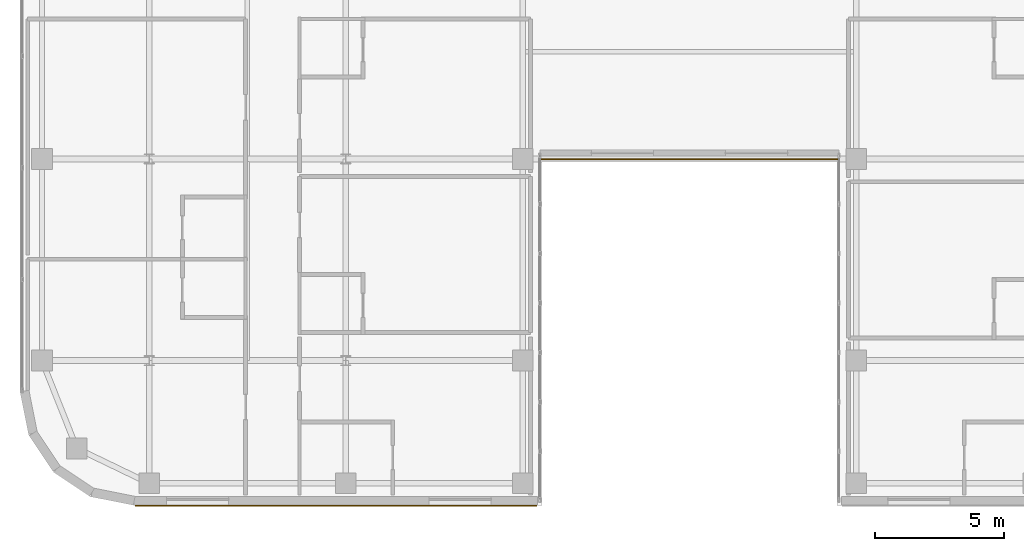
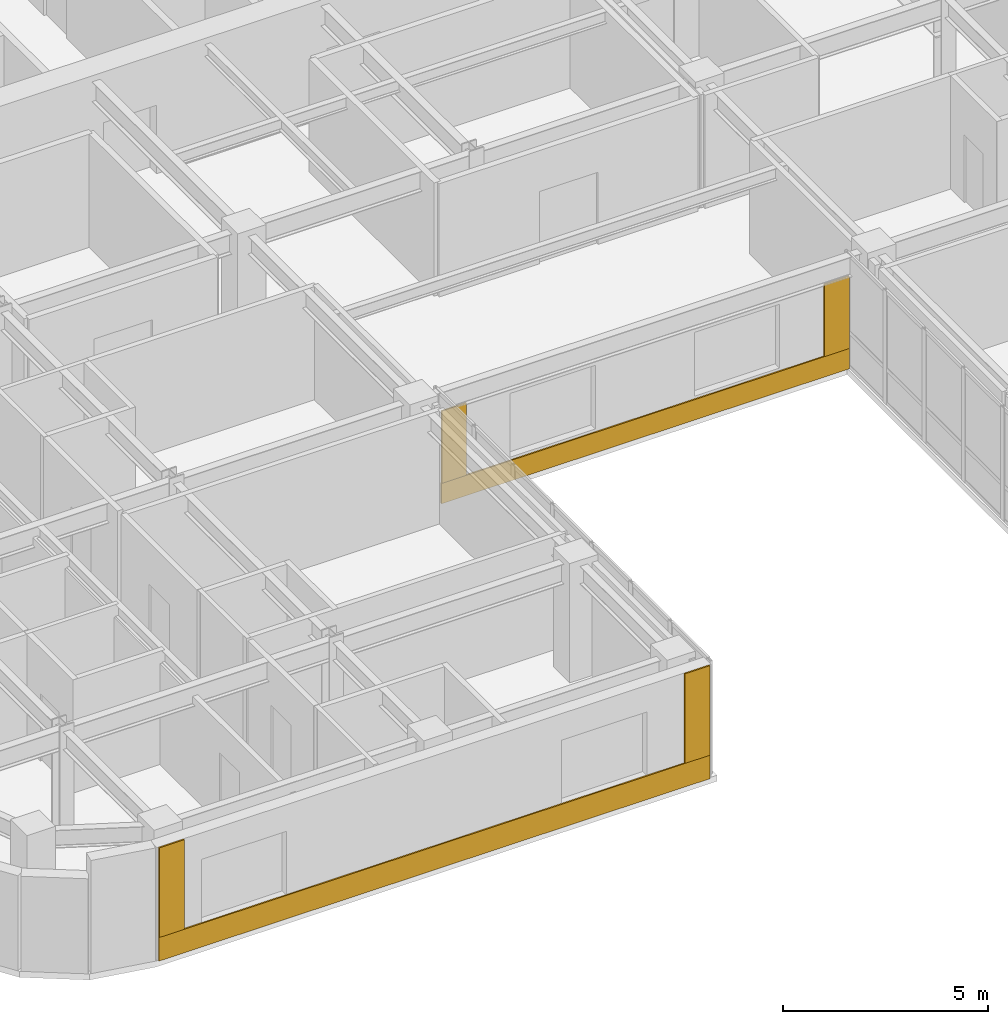
# One storey, part 24 of 28: 6 coverings.
"""IFC4 building model written with IfcOpenShell, lengths in metres."""

from ifc_helpers import new_model, si_unit, direction, frame, origin, place, context, subcontext, project, spatial, polyline, outline, extrude, material, layer, layer_set, type_object, element, save


model = new_model("IFC4")

# Units and contexts
model_context = context("Model", 3, precision=1e-05, world=origin(), true_north=direction((0.0, 1.0)))
body_context = subcontext(model_context, "Body", "Model", "MODEL_VIEW")
ifc_project = project(units=[si_unit("LENGTHUNIT", "METRE"), si_unit("AREAUNIT", "SQUARE_METRE"), si_unit("VOLUMEUNIT", "CUBIC_METRE"), si_unit("PLANEANGLEUNIT", "RADIAN"), si_unit("MASSUNIT", "GRAM", prefix="KILO")], contexts=[model_context])

# Site, building, storey
site_placement = place(None, origin())
site = spatial("IfcSite", under=ifc_project, at=site_placement, CompositionType="ELEMENT")
building_placement = place(site_placement, origin())
building = spatial("IfcBuilding", under=site, at=building_placement, Name="Tolvann Quenvar Hotel", CompositionType="ELEMENT")
storey_placement = place(building_placement, frame((0.0, 0.0, 198.199951171875)))
storey = spatial("IfcBuildingStorey", under=building, at=storey_placement, Name="L52", CompositionType="ELEMENT", Elevation=198.199951171875)

# Coverings
ifc_material_1 = material(Name="Kiln-fired red architectural face brick cladding", Category="masonry")
ifc_layer_1 = layer(ifc_material_1, 0.0400390625)
ifc_layer_set_1 = layer_set([ifc_layer_1], Name="Kiln-fired red architectural face brick cladding")
covering_type_1 = type_object("IfcCoveringType", Name="COV_CLAD_BRICK_40", PredefinedType="CLADDING", material=ifc_layer_set_1)
covering_1_placement = place(storey_placement, frame((0.0, 0.0, 0.699951171875)))
element("IfcCovering", 1, at=covering_1_placement, inside=storey, type_object=covering_type_1, Name="Brick Pier Cladding (L52-E04-P1)", PredefinedType="CLADDING", context=body_context, shape_type="SweptSolid", body=[
    extrude(outline(polyline([(7.067138671875, 2.60009765625), (7.76708984375, 2.60009765625), (7.76708984375, 2.56005859375), (7.067138671875, 2.56005859375), (7.067138671875, 2.60009765625)])), origin(), (0.0, 0.0, 1.0), 2.670166015625),
])
covering_2_placement = place(storey_placement, frame((0.0, 0.0, 0.699951171875)))
element("IfcCovering", 2, at=covering_2_placement, inside=storey, type_object=covering_type_1, Name="Brick Pier Cladding (L52-E04-P2)", PredefinedType="CLADDING", context=body_context, shape_type="SweptSolid", body=[
    extrude(outline(polyline([(21.875, 2.60009765625), (22.574951171875, 2.60009765625), (22.574951171875, 2.56005859375), (21.875, 2.56005859375), (21.875, 2.60009765625)])), origin(), (0.0, 0.0, 1.0), 2.670166015625),
])
covering_3_placement = place(storey_placement, frame((0.0, 0.0, 0.60693359375)))
element("IfcCovering", 3, at=covering_3_placement, inside=storey, type_object=covering_type_1, Name="Brick Pier Cladding (L52-E06-P1)", PredefinedType="CLADDING", context=body_context, shape_type="SweptSolid", body=[
    extrude(outline(polyline([(22.760009765625, 16.0), (23.4599609375, 16.0), (23.4599609375, 15.9599609375), (22.760009765625, 15.9599609375), (22.760009765625, 16.0)])), origin(), (0.0, 0.0, 1.0), 2.151123046875),
])
covering_4_placement = place(storey_placement, frame((0.0, 0.0, 0.60693359375)))
element("IfcCovering", 4, at=covering_4_placement, inside=storey, type_object=covering_type_1, Name="Brick Pier Cladding (L52-E06-P2)", PredefinedType="CLADDING", context=body_context, shape_type="SweptSolid", body=[
    extrude(outline(polyline([(33.5400390625, 16.0), (34.239990234375, 16.0), (34.239990234375, 15.9599609375), (33.5400390625, 15.9599609375), (33.5400390625, 16.0)])), origin(), (0.0, 0.0, 1.0), 2.151123046875),
])
ifc_material_2 = material(Name="Moulded buff architectural terracotta spandrel cladding", Category="masonry")
ifc_layer_2 = layer(ifc_material_2, 0.0400390625)
ifc_layer_set_2 = layer_set([ifc_layer_2], Name="Moulded buff architectural terracotta spandrel cladding")
covering_type_2 = type_object("IfcCoveringType", Name="COV_CLAD_TERRA_40", PredefinedType="CLADDING", material=ifc_layer_set_2)
covering_5_placement = place(storey_placement, origin())
element("IfcCovering", 5, at=covering_5_placement, inside=storey, type_object=covering_type_2, Name="Terracotta Spandrel Cladding (L52-E04)", PredefinedType="CLADDING", context=body_context, shape_type="SweptSolid", body=[
    extrude(outline(polyline([(7.05712890625, 2.60009765625), (22.5849609375, 2.60009765625), (22.5849609375, 2.56005859375), (7.05712890625, 2.56005859375), (7.05712890625, 2.60009765625)])), origin(), (0.0, 0.0, 1.0), 0.699951171875),
])
covering_6_placement = place(storey_placement, origin())
element("IfcCovering", 6, at=covering_6_placement, inside=storey, type_object=covering_type_2, Name="Terracotta Spandrel Cladding (L52-E06)", PredefinedType="CLADDING", context=body_context, shape_type="SweptSolid", body=[
    extrude(outline(polyline([(22.75, 16.0), (34.25, 16.0), (34.25, 15.9599609375), (22.75, 15.9599609375), (22.75, 16.0)])), origin(), (0.0, 0.0, 1.0), 0.60693359375),
])

save(model, "model.ifc")
